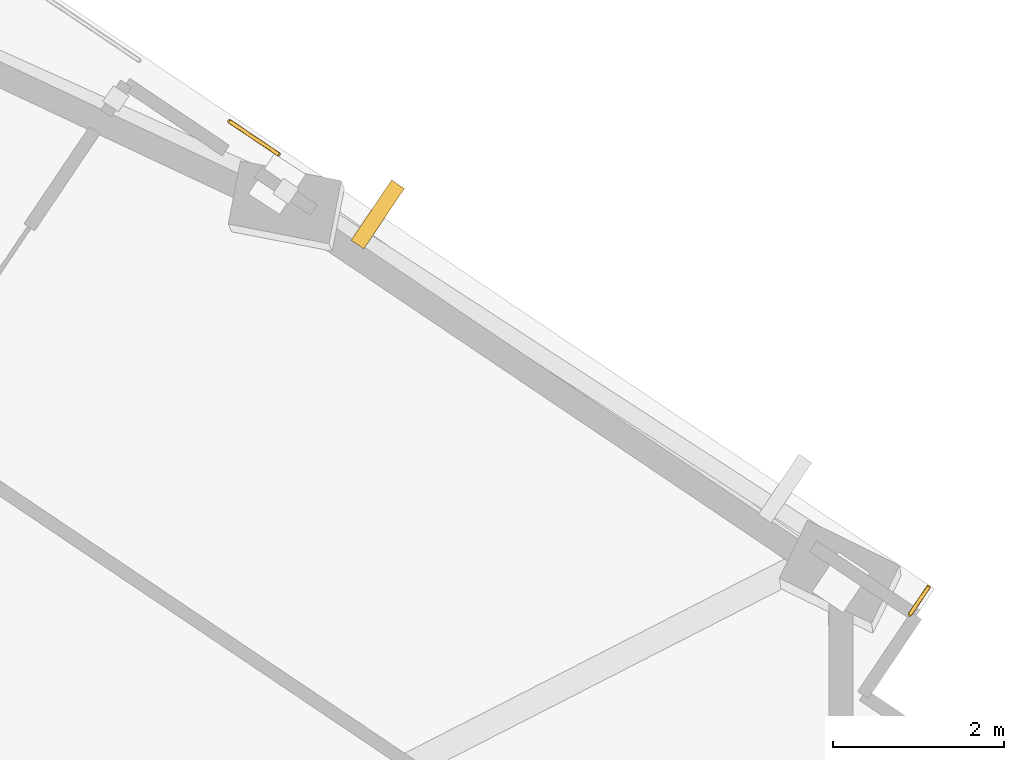
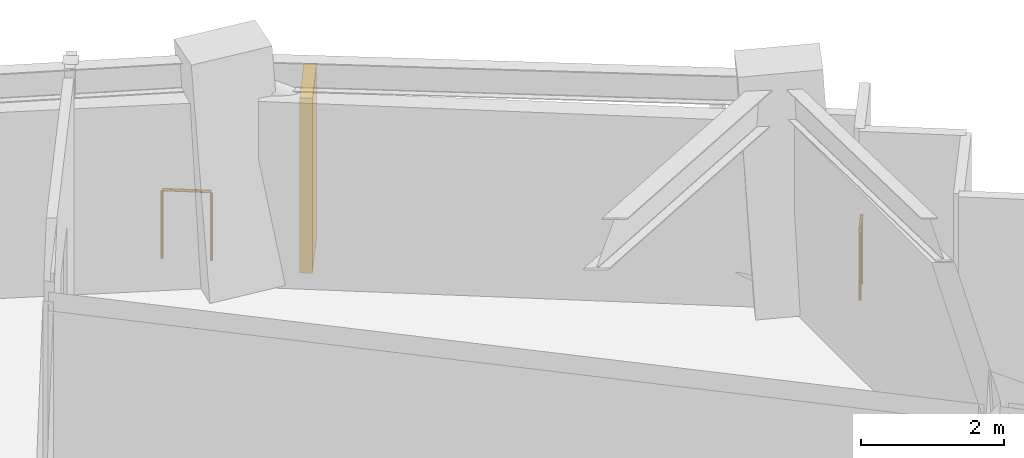
# One storey, part 14 of 14: 2 railings, 1 shading device.
"""IFC4 building model written with IfcOpenShell, lengths in metres."""

from ifc_helpers import new_model, si_unit, direction, frame, origin, origin_2d, place, context, subcontext, project, spatial, rectangle, circle, extrude, material, layer, layer_set, type_object, element, save


model = new_model("IFC4")

# Units and contexts
model_context = context("Model", 3, precision=1e-05, world=origin(), true_north=direction((0.0, 1.0)))
body_context = subcontext(model_context, "Body", "Model", "MODEL_VIEW")
ifc_project = project(units=[si_unit("LENGTHUNIT", "METRE"), si_unit("AREAUNIT", "SQUARE_METRE"), si_unit("VOLUMEUNIT", "CUBIC_METRE"), si_unit("PLANEANGLEUNIT", "RADIAN"), si_unit("MASSUNIT", "GRAM", prefix="KILO")], contexts=[model_context])

# Site, building, storey
site_placement = place(None, origin())
site = spatial("IfcSite", under=ifc_project, at=site_placement, CompositionType="ELEMENT")
building_placement = place(site_placement, origin())
building = spatial("IfcBuilding", under=site, at=building_placement, Name="Gaonmaruhae Medical Tower", CompositionType="ELEMENT")
storey_placement = place(building_placement, frame((0.0, 0.0, 263.199951171875)))
storey = spatial("IfcBuildingStorey", under=building, at=storey_placement, Name="L63", CompositionType="ELEMENT", Elevation=263.199951171875)

# Railings
ifc_material_1 = material(Name="Stainless steel 316L and laminated safety glass", Category="steel")
ifc_layer = layer(ifc_material_1, 0.080078125)
ifc_layer_set = layer_set([ifc_layer], Name="Stainless steel 316L and laminated safety glass")
railing_type = type_object("IfcRailingType", Name="GD-120 Outdoor Terrace Safety Glass & Steel Balustrade", PredefinedType="BALUSTRADE", material=ifc_layer_set)
railing_1_placement = place(storey_placement, frame((51.377685546875, 33.481689453125, 0.0)))
element("IfcRailing", 1, at=railing_1_placement, inside=storey, type_object=railing_type, Name="L63 Perimeter Slab Edge Safety Balustrade 06", PredefinedType="BALUSTRADE", context=body_context, shape_type="SweptSolid", body=[
    extrude(circle(Radius=0.02392578125, at=origin_2d()), frame((0.0, 0.0, 1.17578125), z_axis=(0.829612756226, -0.558339211149, 0.0), x_axis=(0.558339211149, 0.829612756226, 0.0)), (0.0, 0.0, 1.0), 0.69580078125),
    extrude(circle(Radius=0.02099609375, at=origin_2d()), origin(), (0.0, 0.0, 1.0), 1.15185546875),
    extrude(circle(Radius=0.02099609375, at=origin_2d()), frame((0.5771484375, -0.388427734375, 0.0)), (0.0, 0.0, 1.0), 1.15185546875),
])
railing_2_placement = place(storey_placement, frame((59.56103515625, 28.03271484375, 0.0)))
element("IfcRailing", 2, at=railing_2_placement, inside=storey, type_object=railing_type, Name="L63 Perimeter Slab Edge Safety Balustrade 07", PredefinedType="BALUSTRADE", context=body_context, shape_type="SweptSolid", body=[
    extrude(circle(Radius=0.02392578125, at=origin_2d()), frame((0.0, 0.0, 1.17578125), z_axis=(-0.55841742685, -0.829560110776, 0.0), x_axis=(0.829560110776, -0.55841742685, 0.0)), (0.0, 0.0, 1.0), 0.3935546875),
    extrude(circle(Radius=0.02099609375, at=origin_2d()), origin(), (0.0, 0.0, 1.0), 1.15185546875),
    extrude(circle(Radius=0.02099609375, at=origin_2d()), frame((-0.2197265625, -0.326416015625, 0.0)), (0.0, 0.0, 1.0), 1.15185546875),
])

# Shading device
ifc_material_2 = material(Name="Pigmented coral precast concrete C45/55", Category="concrete")
shading_device_type = type_object("IfcShadingDeviceType", Name="SD-FIN1 Tower Vertical Coral Precast Shading Fin", PredefinedType="USERDEFINED", material=ifc_material_2)
shading_device_placement = place(storey_placement, frame((53.114501953125, 32.390869140625, 0.092529296875), z_axis=(0.0, 0.0, 1.0), x_axis=(0.829525244685, -0.558469218875, 0.0)))
element("IfcShadingDevice", 3, at=shading_device_placement, inside=storey, type_object=shading_device_type, Name="L63 Vertical Coral Precast Shading Fin E01", ObjectType="FIN", PredefinedType="USERDEFINED", context=body_context, shape_type="SweptSolid", body=[
    extrude(rectangle(XDim=0.179931640625, YDim=0.85009765625, at=origin_2d()), origin(), (0.0, 0.0, 1.0), 3.0),
])

save(model, "model.ifc")
